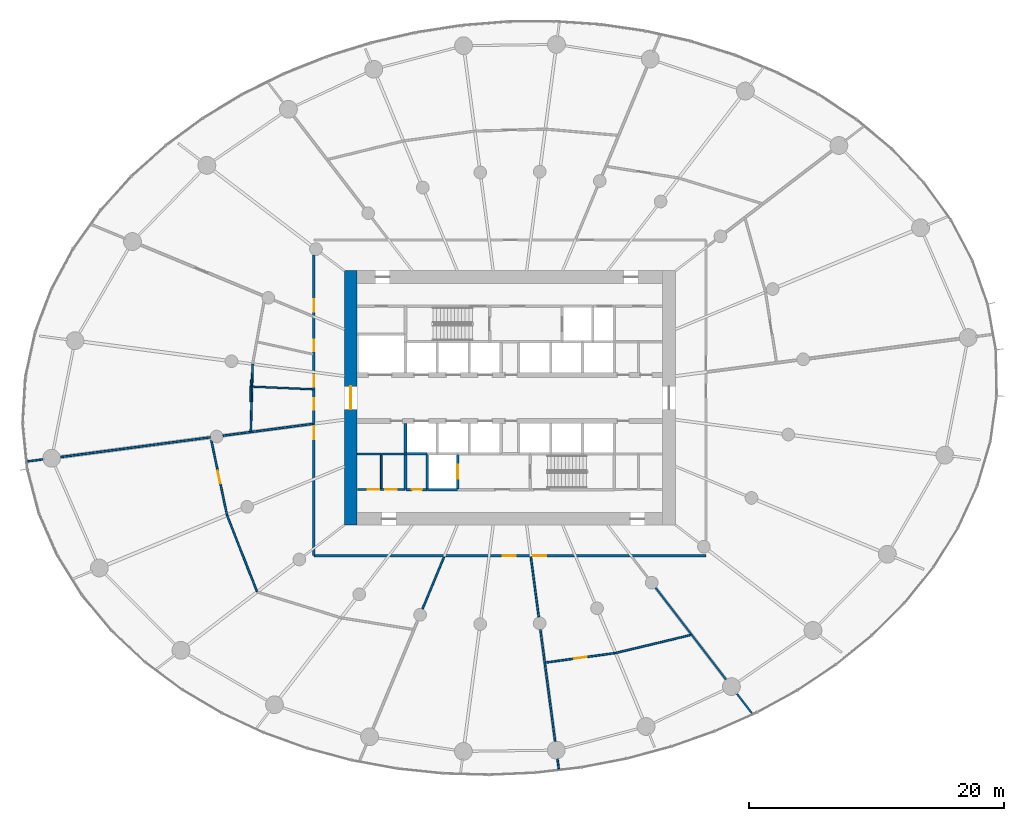
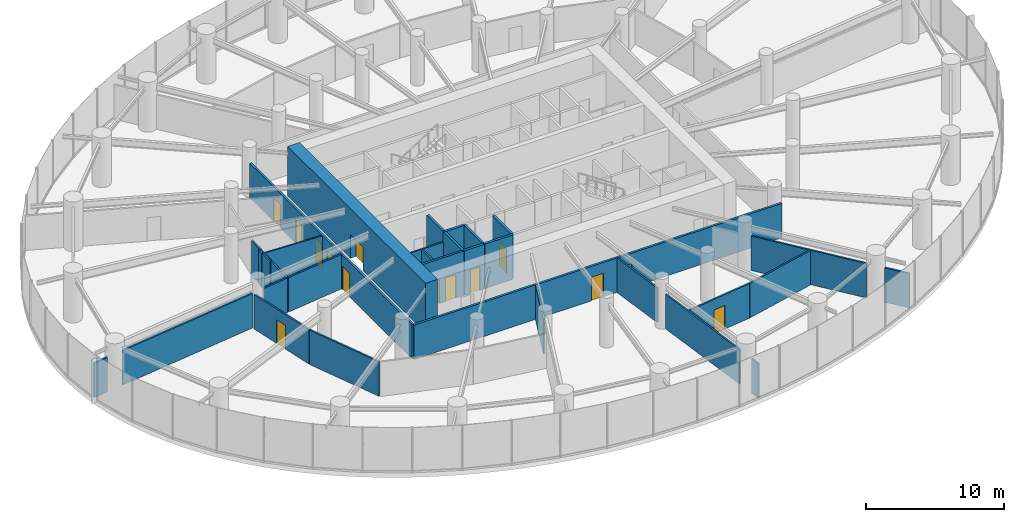
# One storey, part 11 of 17: 32 walls, 14 doors, 14 openings.
"""IFC4 building model written with IfcOpenShell, lengths in metres."""

from ifc_helpers import new_model, si_unit, direction, frame, frame_2d, origin, place, context, subcontext, project, spatial, rectangle, extrude, source, transform, mapped, material, layer, layer_set, type_object, element, fill, save


model = new_model("IFC4")

# Units and contexts
model_context = context("Model", 3, precision=1e-05, world=origin(), true_north=direction((0.0, 1.0)))
body_context = subcontext(model_context, "Body", "Model", "MODEL_VIEW")
ifc_project = project(units=[si_unit("LENGTHUNIT", "METRE"), si_unit("AREAUNIT", "SQUARE_METRE"), si_unit("VOLUMEUNIT", "CUBIC_METRE"), si_unit("PLANEANGLEUNIT", "RADIAN"), si_unit("MASSUNIT", "GRAM", prefix="KILO")], contexts=[model_context])

# Site, building, storey
site_placement = place(None, origin())
site = spatial("IfcSite", under=ifc_project, at=site_placement, CompositionType="ELEMENT")
building_placement = place(site_placement, origin())
building = spatial("IfcBuilding", under=site, at=building_placement, Name="Spindrift Exchange Tower", CompositionType="ELEMENT")
storey_placement = place(building_placement, frame((0.0, 0.0, 35.800048828125)))
storey = spatial("IfcBuildingStorey", under=building, at=storey_placement, Name="L08", CompositionType="ELEMENT", Elevation=35.800048828125)

# Wall, opening, door
ifc_material_1 = material(Name="Concrete 80 MPa", Category="concrete")
ifc_layer_1 = layer(ifc_material_1, 1.0)
ifc_layer_set_1 = layer_set([ifc_layer_1], Name="RC Core Wall 1000 Concrete 80 MPa")
wall_type_1 = type_object("IfcWallType", Name="RC Core Wall 1000 Concrete 80 MPa", PredefinedType="SHEAR", material=ifc_layer_set_1)
wall_1_placement = place(storey_placement, frame((39.5, 58.0, 0.0), z_axis=(0.0, 0.0, 1.0), x_axis=(0.0, -1.0, 0.0)))
wall_1 = element("IfcWall", 1, at=wall_1_placement, inside=storey, type_object=wall_type_1, Name="Core wall W L08", PredefinedType="SHEAR", context=body_context, shape_type="SweptSolid", body=[
    extrude(rectangle(XDim=20.0, YDim=1.0, at=frame_2d((10.0, 0.0))), origin(), (0.0, 0.0, 1.0), 4.39990234375),
])
opening_1_placement = place(wall_1_placement, frame((9.10009765625, 0.0, 0.0)))
opening_1 = element("IfcOpeningElement", 2, at=opening_1_placement, cuts=wall_1, Name="Opening L08-D1", PredefinedType="OPENING", context=body_context, shape_type="SweptSolid", body=[
    extrude(rectangle(XDim=1.800048828125, YDim=2.10009765625, at=frame_2d((0.89990234375, 1.050048828125))), frame((0.0, 0.510009765625, 0.0), z_axis=(0.0, -1.0, 0.0), x_axis=(1.0, 0.0, 0.0)), (0.0, 0.0, 1.0), 1.02001953125),
])
ifc_material_2 = material(Name="Timber-core fire door", Category="wood")
door_type_1 = type_object("IfcDoorType", Name="DR-LOBBY-1800", OperationType="NOTDEFINED", PredefinedType="DOOR", material=ifc_material_2)
shared_shape_1 = source(origin(), body_context, "Body", "SweptSolid", [
    extrude(rectangle(XDim=1.800048828125, YDim=2.10009765625, at=frame_2d((0.89990234375, 1.050048828125))), frame((0.0, 0.02490234375, 0.0), z_axis=(0.0, -1.0, 0.0), x_axis=(1.0, 0.0, 0.0)), (0.0, 0.0, 1.0), 0.050048828125),
])
door_1_placement = place(opening_1_placement, origin())
door_1 = element("IfcDoor", 3, at=door_1_placement, inside=storey, type_object=door_type_1, Name="L08 Lobby door 1", OperationType="SINGLE_SWING_RIGHT", OverallHeight=2.10009765625, OverallWidth=1.800048828125, PredefinedType="DOOR", context=body_context, shape_type="MappedRepresentation", body=[
    mapped(shared_shape_1, transform((0.0, 0.0, 0.0), scale=1.0)),
])
fill(opening_1, door_1)

# Wall, openings, doors
ifc_material_3 = material(Name="Fire-rated plasterboard partition", Category="gypsum")
ifc_layer_2 = layer(ifc_material_3, 0.179931640625)
ifc_layer_set_2 = layer_set([ifc_layer_2], Name="W-CORR-180")
wall_type_2 = type_object("IfcWallType", Name="W-CORR-180", PredefinedType="PARTITIONING", material=ifc_layer_set_2)
wall_2_placement = place(storey_placement, frame((40.02001953125, 40.800048828125, 0.0), z_axis=(0.0, 0.0, 1.0), x_axis=(1.0, 0.0, 0.0)))
wall_2 = element("IfcWall", 4, at=wall_2_placement, inside=storey, type_object=wall_type_2, Name="L08 Partition wall 61", PredefinedType="PARTITIONING", context=body_context, shape_type="SweptSolid", body=[
    extrude(rectangle(XDim=3.75, YDim=0.179931640625, at=frame_2d((1.875, 0.0))), origin(), (0.0, 0.0, 1.0), 3.949951171875),
])
opening_2_placement = place(wall_2_placement, frame((0.800048828125, 0.0, 0.0)))
opening_2 = element("IfcOpeningElement", 5, at=opening_2_placement, cuts=wall_2, Name="Opening L08-D42", PredefinedType="OPENING", context=body_context, shape_type="SweptSolid", body=[
    extrude(rectangle(XDim=0.89990234375, YDim=2.10009765625, at=frame_2d((0.449951171875, 1.050048828125))), frame((0.0, 0.099853515625, 0.0), z_axis=(0.0, -1.0, 0.0), x_axis=(1.0, 0.0, 0.0)), (0.0, 0.0, 1.0), 0.199951171875),
])
opening_3_placement = place(wall_2_placement, frame((2.199951171875, 0.0, 0.0)))
opening_3 = element("IfcOpeningElement", 6, at=opening_3_placement, cuts=wall_2, Name="Opening L08-D43", PredefinedType="OPENING", context=body_context, shape_type="SweptSolid", body=[
    extrude(rectangle(XDim=0.89990234375, YDim=2.10009765625, at=frame_2d((0.449951171875, 1.050048828125))), frame((0.0, 0.099853515625, 0.0), z_axis=(0.0, -1.0, 0.0), x_axis=(1.0, 0.0, 0.0)), (0.0, 0.0, 1.0), 0.199951171875),
])
ifc_material_4 = material(Name="Steel access door", Category="steel")
door_type_2 = type_object("IfcDoorType", Name="DR-RISER-900", OperationType="NOTDEFINED", PredefinedType="DOOR", material=ifc_material_4)
shared_shape_2 = source(origin(), body_context, "Body", "SweptSolid", [
    extrude(rectangle(XDim=0.89990234375, YDim=2.10009765625, at=frame_2d((0.449951171875, 1.050048828125))), frame((0.0, 0.02490234375, 0.0), z_axis=(0.0, -1.0, 0.0), x_axis=(1.0, 0.0, 0.0)), (0.0, 0.0, 1.0), 0.050048828125),
])
door_2_placement = place(opening_2_placement, origin())
door_2 = element("IfcDoor", 7, at=door_2_placement, inside=storey, type_object=door_type_2, Name="L08 Riser door 42", OperationType="SINGLE_SWING_LEFT", OverallHeight=2.10009765625, OverallWidth=0.89990234375, PredefinedType="DOOR", context=body_context, shape_type="MappedRepresentation", body=[
    mapped(shared_shape_2, transform((0.0, 0.0, 0.0), scale=1.0)),
])
fill(opening_2, door_2)
door_3_placement = place(opening_3_placement, origin())
door_3 = element("IfcDoor", 8, at=door_3_placement, inside=storey, type_object=door_type_2, Name="L08 Riser door 43", OperationType="SINGLE_SWING_RIGHT", OverallHeight=2.10009765625, OverallWidth=0.89990234375, PredefinedType="DOOR", context=body_context, shape_type="MappedRepresentation", body=[
    mapped(shared_shape_2, transform((0.0, 0.0, 0.0), scale=1.0)),
])
fill(opening_3, door_3)

# Walls
ifc_layer_3 = layer(ifc_material_3, 0.139892578125)
ifc_layer_set_3 = layer_set([ifc_layer_3], Name="W-PART-140")
wall_type_3 = type_object("IfcWallType", Name="W-PART-140", PredefinedType="PARTITIONING", material=ifc_layer_set_3)
wall_3_placement = place(storey_placement, frame((28.466064453125, 44.901611328125, 0.0), z_axis=(0.0, 0.0, 1.0), x_axis=(-0.991446586451, -0.130513088287, 0.0)))
element("IfcWall", 9, at=wall_3_placement, inside=storey, type_object=wall_type_3, Name="L08 Partition wall 65", PredefinedType="PARTITIONING", context=body_context, shape_type="SweptSolid", body=[
    extrude(rectangle(XDim=11.85986328125, YDim=0.139892578125, at=frame_2d((5.929931640625, 0.0))), origin(), (0.0, 0.0, 1.0), 3.050048828125),
])
wall_4_placement = place(storey_placement, frame((31.79345703125, 50.66015625, 0.0), z_axis=(0.0, 0.0, 1.0), x_axis=(-0.026785082404, -0.999641215317, 0.0)))
element("IfcWall", 10, at=wall_4_placement, inside=storey, type_object=wall_type_3, Name="L08 Partition wall 89", PredefinedType="PARTITIONING", context=body_context, shape_type="SweptSolid", body=[
    extrude(rectangle(XDim=5.34130859375, YDim=0.139892578125, at=frame_2d((2.670654296875, 0.0))), origin(), (0.0, 0.0, 1.0), 3.050048828125),
])
wall_5_placement = place(storey_placement, frame((41.89990234375, 40.889892578125, 0.0), z_axis=(0.0, 0.0, 1.0), x_axis=(0.0, 1.0, 0.0)))
element("IfcWall", 11, at=wall_5_placement, inside=storey, type_object=wall_type_3, Name="L08 Partition wall 97", PredefinedType="PARTITIONING", context=body_context, shape_type="SweptSolid", body=[
    extrude(rectangle(XDim=2.710205078125, YDim=0.139892578125, at=frame_2d((1.35498046875, 0.0))), origin(), (0.0, 0.0, 1.0), 3.050048828125),
])
wall_6_placement = place(storey_placement, frame((69.8251953125, 24.76953125, 0.0), z_axis=(0.0, 0.0, 1.0), x_axis=(0.608846424219, -0.793288113938, 0.0)))
element("IfcWall", 12, at=wall_6_placement, inside=storey, type_object=wall_type_3, Name="L08 Partition wall 105", PredefinedType="PARTITIONING", context=body_context, shape_type="SweptSolid", body=[
    extrude(rectangle(XDim=1.939208984375, YDim=0.139892578125, at=frame_2d((0.9697265625, 0.0))), origin(), (0.0, 0.0, 1.0), 3.050048828125),
])
wall_7_placement = place(storey_placement, frame((43.77001953125, 43.60009765625, 0.0), z_axis=(0.0, 0.0, 1.0), x_axis=(-1.0, 0.0, 0.0)))
element("IfcWall", 13, at=wall_7_placement, inside=storey, type_object=wall_type_3, Name="L08 Partition wall 107", PredefinedType="PARTITIONING", context=body_context, shape_type="SweptSolid", body=[
    extrude(rectangle(XDim=1.840087890625, YDim=0.139892578125, at=frame_2d((0.919921875, 0.0))), origin(), (0.0, 0.0, 1.0), 3.050048828125),
])
wall_8_placement = place(storey_placement, frame((41.8701171875, 43.60009765625, 0.0), z_axis=(0.0, 0.0, 1.0), x_axis=(-1.0, 0.0, 0.0)))
element("IfcWall", 14, at=wall_8_placement, inside=storey, type_object=wall_type_3, Name="L08 Partition wall 110", PredefinedType="PARTITIONING", context=body_context, shape_type="SweptSolid", body=[
    extrude(rectangle(XDim=1.85009765625, YDim=0.139892578125, at=frame_2d((0.925048828125, 0.0))), origin(), (0.0, 0.0, 1.0), 3.050048828125),
])
wall_9_placement = place(storey_placement, frame((15.311279296875, 43.169921875, 0.0), z_axis=(0.0, 0.0, 1.0), x_axis=(-0.991431129538, -0.130630453508, 0.0)))
element("IfcWall", 15, at=wall_9_placement, inside=storey, type_object=wall_type_3, Name="L08 Partition wall 118", PredefinedType="PARTITIONING", context=body_context, shape_type="SweptSolid", body=[
    extrude(rectangle(XDim=1.220458984375, YDim=0.139892578125, at=frame_2d((0.6103515625, 0.0))), origin(), (0.0, 0.0, 1.0), 3.050048828125),
])
ifc_layer_4 = layer(ifc_material_3, 0.139892578125)
ifc_layer_set_4 = layer_set([ifc_layer_4], Name="W-PLANT-140")
wall_type_4 = type_object("IfcWallType", Name="W-PLANT-140", PredefinedType="PARTITIONING", material=ifc_layer_set_4)
wall_10_placement = place(storey_placement, frame((63.44091796875, 33.08984375, 0.0), z_axis=(0.0, 0.0, 1.0), x_axis=(0.608770769454, -0.793346173028, 0.0)))
element("IfcWall", 16, at=wall_10_placement, inside=storey, type_object=wall_type_4, Name="L08 Partition wall 69", PredefinedType="PARTITIONING", context=body_context, shape_type="SweptSolid", body=[
    extrude(rectangle(XDim=9.0791015625, YDim=0.139892578125, at=frame_2d((4.53955078125, 0.0))), origin(), (0.0, 0.0, 1.0), 3.050048828125),
])
wall_11_placement = place(storey_placement, frame((54.396484375, 29.796630859375, 0.0), z_axis=(0.0, 0.0, 1.0), x_axis=(0.130534568438, -0.991443758588, 0.0)))
element("IfcWall", 17, at=wall_11_placement, inside=storey, type_object=wall_type_4, Name="L08 Partition wall 71", PredefinedType="PARTITIONING", context=body_context, shape_type="SweptSolid", body=[
    extrude(rectangle(XDim=8.83544921875, YDim=0.139892578125, at=frame_2d((4.417724609375, 0.0))), origin(), (0.0, 0.0, 1.0), 3.050048828125),
])
wall_12_placement = place(storey_placement, frame((29.7802734375, 38.79638671875, 0.0), z_axis=(0.0, 0.0, 1.0), x_axis=(0.364958848298, -0.931023651176, 0.0)))
element("IfcWall", 18, at=wall_12_placement, inside=storey, type_object=wall_type_4, Name="L08 Partition wall 77", PredefinedType="PARTITIONING", context=body_context, shape_type="SweptSolid", body=[
    extrude(rectangle(XDim=6.44873046875, YDim=0.139892578125, at=frame_2d((3.224365234375, 0.0))), origin(), (0.0, 0.0, 1.0), 3.050048828125),
])
wall_13_placement = place(storey_placement, frame((60.298828125, 27.964599609375, 0.0), z_axis=(0.0, 0.0, 1.0), x_axis=(0.972356247256, 0.233502309242, 0.0)))
element("IfcWall", 19, at=wall_13_placement, inside=storey, type_object=wall_type_4, Name="L08 Partition wall 79", PredefinedType="PARTITIONING", context=body_context, shape_type="SweptSolid", body=[
    extrude(rectangle(XDim=6.0673828125, YDim=0.139892578125, at=frame_2d((3.03369140625, 0.0))), origin(), (0.0, 0.0, 1.0), 3.050048828125),
])

# Wall, opening, door
wall_14_placement = place(storey_placement, frame((29.77392578125, 38.82568359375, 0.0), z_axis=(0.0, 0.0, 1.0), x_axis=(-0.20499122911, 0.978763810113, 0.0)))
wall_14 = element("IfcWall", 20, at=wall_14_placement, inside=storey, type_object=wall_type_4, Name="L08 Partition wall 81", PredefinedType="PARTITIONING", context=body_context, shape_type="SweptSolid", body=[
    extrude(rectangle(XDim=5.98828125, YDim=0.139892578125, at=frame_2d((2.994140625, 0.0))), origin(), (0.0, 0.0, 1.0), 3.050048828125),
])
opening_4_placement = place(wall_14_placement, frame((2.538330078125, 0.0, 0.0)))
opening_4 = element("IfcOpeningElement", 21, at=opening_4_placement, cuts=wall_14, Name="Opening L08-D28", PredefinedType="OPENING", context=body_context, shape_type="SweptSolid", body=[
    extrude(rectangle(XDim=1.0, YDim=2.10009765625, at=frame_2d((0.5, 1.050048828125))), frame((0.0, 0.079833984375, 0.0), z_axis=(0.0, -1.0, 0.0), x_axis=(1.0, 0.0, 0.0)), (0.0, 0.0, 1.0), 0.159912109375),
])
door_type_3 = type_object("IfcDoorType", Name="DR-ROOM-1000", OperationType="NOTDEFINED", PredefinedType="DOOR", material=ifc_material_2)
shared_shape_3 = source(origin(), body_context, "Body", "SweptSolid", [
    extrude(rectangle(XDim=1.0, YDim=2.10009765625, at=frame_2d((0.5, 1.050048828125))), frame((0.0, 0.02490234375, 0.0), z_axis=(0.0, -1.0, 0.0), x_axis=(1.0, 0.0, 0.0)), (0.0, 0.0, 1.0), 0.050048828125),
])
door_4_placement = place(opening_4_placement, origin())
door_4 = element("IfcDoor", 22, at=door_4_placement, inside=storey, type_object=door_type_3, Name="L08 Door 28", OperationType="SINGLE_SWING_LEFT", OverallHeight=2.10009765625, OverallWidth=1.0, PredefinedType="DOOR", context=body_context, shape_type="MappedRepresentation", body=[
    mapped(shared_shape_3, transform((0.0, 0.0, 0.0), scale=1.0)),
])
fill(opening_4, door_4)

wall_15_placement = place(storey_placement, frame((60.269287109375, 27.96044921875, 0.0), z_axis=(0.0, 0.0, 1.0), x_axis=(-0.99082423852, -0.135156680789, 0.0)))
wall_15 = element("IfcWall", 23, at=wall_15_placement, inside=storey, type_object=wall_type_4, Name="L08 Partition wall 87", PredefinedType="PARTITIONING", context=body_context, shape_type="SweptSolid", body=[
    extrude(rectangle(XDim=5.512939453125, YDim=0.139892578125, at=frame_2d((2.75634765625, 0.0))), origin(), (0.0, 0.0, 1.0), 3.050048828125),
])
opening_5_placement = place(wall_15_placement, frame((2.262939453125, 0.0, 0.0)))
opening_5 = element("IfcOpeningElement", 24, at=opening_5_placement, cuts=wall_15, Name="Opening L08-D32", PredefinedType="OPENING", context=body_context, shape_type="SweptSolid", body=[
    extrude(rectangle(XDim=1.0, YDim=2.10009765625, at=frame_2d((0.5, 1.050048828125))), frame((0.0, 0.079833984375, 0.0), z_axis=(0.0, -1.0, 0.0), x_axis=(1.0, 0.0, 0.0)), (0.0, 0.0, 1.0), 0.159912109375),
])
door_5_placement = place(opening_5_placement, origin())
door_5 = element("IfcDoor", 25, at=door_5_placement, inside=storey, type_object=door_type_3, Name="L08 Door 32", OperationType="SINGLE_SWING_LEFT", OverallHeight=2.10009765625, OverallWidth=1.0, PredefinedType="DOOR", context=body_context, shape_type="MappedRepresentation", body=[
    mapped(shared_shape_3, transform((0.0, 0.0, 0.0), scale=1.0)),
])
fill(opening_5, door_5)

# Walls
wall_16_placement = place(storey_placement, frame((36.510009765625, 45.960693359375, 0.0), z_axis=(0.0, 0.0, 1.0), x_axis=(-0.991443283178, -0.130538179246, 0.0)))
element("IfcWall", 26, at=wall_16_placement, inside=storey, type_object=wall_type_4, Name="L08 Partition wall 90", PredefinedType="PARTITIONING", context=body_context, shape_type="SweptSolid", body=[
    extrude(rectangle(XDim=4.830810546875, YDim=0.139892578125, at=frame_2d((2.41552734375, 0.0))), origin(), (0.0, 0.0, 1.0), 3.050048828125),
])
wall_17_placement = place(storey_placement, frame((53.644287109375, 35.510009765625, 0.0), z_axis=(0.0, 0.0, 1.0), x_axis=(0.130548834981, -0.991441880135, 0.0)))
element("IfcWall", 27, at=wall_17_placement, inside=storey, type_object=wall_type_4, Name="L08 Partition wall 92", PredefinedType="PARTITIONING", context=body_context, shape_type="SweptSolid", body=[
    extrude(rectangle(XDim=4.75390625, YDim=0.139892578125, at=frame_2d((2.376953125, 0.0))), origin(), (0.0, 0.0, 1.0), 3.050048828125),
])
wall_18_placement = place(storey_placement, frame((46.826416015625, 35.510009765625, 0.0), z_axis=(0.0, 0.0, 1.0), x_axis=(-0.382672831764, -0.923883923353, 0.0)))
element("IfcWall", 28, at=wall_18_placement, inside=storey, type_object=wall_type_4, Name="L08 Partition wall 93", PredefinedType="PARTITIONING", context=body_context, shape_type="SweptSolid", body=[
    extrude(rectangle(XDim=4.410400390625, YDim=0.139892578125, at=frame_2d((2.205078125, 0.0))), origin(), (0.0, 0.0, 1.0), 3.050048828125),
])
wall_19_placement = place(storey_placement, frame((31.62060546875, 45.31689453125, 0.0), z_axis=(0.0, 0.0, 1.0), x_axis=(-0.991455060392, -0.130448699582, 0.0)))
element("IfcWall", 29, at=wall_19_placement, inside=storey, type_object=wall_type_4, Name="L08 Partition wall 101", PredefinedType="PARTITIONING", context=body_context, shape_type="SweptSolid", body=[
    extrude(rectangle(XDim=2.1728515625, YDim=0.139892578125, at=frame_2d((1.08642578125, 0.0))), origin(), (0.0, 0.0, 1.0), 3.050048828125),
])
wall_20_placement = place(storey_placement, frame((55.733642578125, 19.640380859375, 0.0), z_axis=(0.0, 0.0, 1.0), x_axis=(0.130566295976, -0.991439580789, 0.0)))
element("IfcWall", 30, at=wall_20_placement, inside=storey, type_object=wall_type_4, Name="L08 Partition wall 120", PredefinedType="PARTITIONING", context=body_context, shape_type="SweptSolid", body=[
    extrude(rectangle(XDim=0.791015625, YDim=0.139892578125, at=frame_2d((0.3955078125, 0.0))), origin(), (0.0, 0.0, 1.0), 3.050048828125),
])

# Wall, openings, doors
ifc_layer_5 = layer(ifc_material_3, 0.179931640625)
ifc_layer_set_5 = layer_set([ifc_layer_5], Name="W-PLANT-180")
wall_type_5 = type_object("IfcWallType", Name="W-PLANT-180", PredefinedType="PARTITIONING", material=ifc_layer_set_5)
wall_21_placement = place(storey_placement, frame((67.39990234375, 35.60009765625, 0.0), z_axis=(0.0, 0.0, 1.0), x_axis=(-1.0, 0.0, 0.0)))
wall_21 = element("IfcWall", 31, at=wall_21_placement, inside=storey, type_object=wall_type_5, Name="L08 Partition wall 57", PredefinedType="PARTITIONING", context=body_context, shape_type="SweptSolid", body=[
    extrude(rectangle(XDim=30.7998046875, YDim=0.179931640625, at=frame_2d((15.39990234375, 0.0))), origin(), (0.0, 0.0, 1.0), 3.050048828125),
])
opening_6_placement = place(wall_21_placement, frame((14.949951171875, 0.0, 0.0)))
opening_6 = element("IfcOpeningElement", 32, at=opening_6_placement, cuts=wall_21, Name="Opening L08-D30", PredefinedType="OPENING", context=body_context, shape_type="SweptSolid", body=[
    extrude(rectangle(XDim=1.0, YDim=2.10009765625, at=frame_2d((0.5, 1.050048828125))), frame((0.0, 0.099853515625, 0.0), z_axis=(0.0, -1.0, 0.0), x_axis=(1.0, 0.0, 0.0)), (0.0, 0.0, 1.0), 0.199951171875),
])
opening_7_placement = place(wall_21_placement, frame((12.550048828125, 0.0, 0.0)))
opening_7 = element("IfcOpeningElement", 33, at=opening_7_placement, cuts=wall_21, Name="Opening L08-D31", PredefinedType="OPENING", context=body_context, shape_type="SweptSolid", body=[
    extrude(rectangle(XDim=1.0, YDim=2.10009765625, at=frame_2d((0.5, 1.050048828125))), frame((0.0, 0.099853515625, 0.0), z_axis=(0.0, -1.0, 0.0), x_axis=(1.0, 0.0, 0.0)), (0.0, 0.0, 1.0), 0.199951171875),
])
door_6_placement = place(opening_6_placement, origin())
door_6 = element("IfcDoor", 34, at=door_6_placement, inside=storey, type_object=door_type_3, Name="L08 Door 30", OperationType="SINGLE_SWING_LEFT", OverallHeight=2.10009765625, OverallWidth=1.0, PredefinedType="DOOR", context=body_context, shape_type="MappedRepresentation", body=[
    mapped(shared_shape_3, transform((0.0, 0.0, 0.0), scale=1.0)),
])
fill(opening_6, door_6)
door_7_placement = place(opening_7_placement, origin())
door_7 = element("IfcDoor", 35, at=door_7_placement, inside=storey, type_object=door_type_3, Name="L08 Door 31", OperationType="SINGLE_SWING_RIGHT", OverallHeight=2.10009765625, OverallWidth=1.0, PredefinedType="DOOR", context=body_context, shape_type="MappedRepresentation", body=[
    mapped(shared_shape_3, transform((0.0, 0.0, 0.0), scale=1.0)),
])
fill(opening_7, door_7)

wall_22_placement = place(storey_placement, frame((36.60009765625, 35.6298828125, 0.0), z_axis=(0.0, 0.0, 1.0), x_axis=(0.0, 1.0, 0.0)))
wall_22 = element("IfcWall", 36, at=wall_22_placement, inside=storey, type_object=wall_type_5, Name="L08 Partition wall 60", PredefinedType="PARTITIONING", context=body_context, shape_type="SweptSolid", body=[
    extrude(rectangle(XDim=23.58251953125, YDim=0.179931640625, at=frame_2d((11.791259765625, 0.0))), origin(), (0.0, 0.0, 1.0), 3.050048828125),
])
opening_8_placement = place(wall_22_placement, frame((16.032470703125, 0.0, 0.0)))
opening_8 = element("IfcOpeningElement", 37, at=opening_8_placement, cuts=wall_22, Name="Opening L08-D24", PredefinedType="OPENING", context=body_context, shape_type="SweptSolid", body=[
    extrude(rectangle(XDim=0.89990234375, YDim=2.10009765625, at=frame_2d((0.449951171875, 1.050048828125))), frame((0.0, 0.099853515625, 0.0), z_axis=(0.0, -1.0, 0.0), x_axis=(1.0, 0.0, 0.0)), (0.0, 0.0, 1.0), 0.199951171875),
])
opening_9_placement = place(wall_22_placement, frame((13.232421875, 0.0, 0.0)))
opening_9 = element("IfcOpeningElement", 38, at=opening_9_placement, cuts=wall_22, Name="Opening L08-D25", PredefinedType="OPENING", context=body_context, shape_type="SweptSolid", body=[
    extrude(rectangle(XDim=0.89990234375, YDim=2.10009765625, at=frame_2d((0.449951171875, 1.050048828125))), frame((0.0, 0.099853515625, 0.0), z_axis=(0.0, -1.0, 0.0), x_axis=(1.0, 0.0, 0.0)), (0.0, 0.0, 1.0), 0.199951171875),
])
opening_10_placement = place(wall_22_placement, frame((11.4326171875, 0.0, 0.0)))
opening_10 = element("IfcOpeningElement", 39, at=opening_10_placement, cuts=wall_22, Name="Opening L08-D26", PredefinedType="OPENING", context=body_context, shape_type="SweptSolid", body=[
    extrude(rectangle(XDim=0.89990234375, YDim=2.10009765625, at=frame_2d((0.449951171875, 1.050048828125))), frame((0.0, 0.099853515625, 0.0), z_axis=(0.0, -1.0, 0.0), x_axis=(1.0, 0.0, 0.0)), (0.0, 0.0, 1.0), 0.199951171875),
])
opening_11_placement = place(wall_22_placement, frame((9.132568359375, 0.0, 0.0)))
opening_11 = element("IfcOpeningElement", 40, at=opening_11_placement, cuts=wall_22, Name="Opening L08-D27", PredefinedType="OPENING", context=body_context, shape_type="SweptSolid", body=[
    extrude(rectangle(XDim=1.0, YDim=2.10009765625, at=frame_2d((0.5, 1.050048828125))), frame((0.0, 0.099853515625, 0.0), z_axis=(0.0, -1.0, 0.0), x_axis=(1.0, 0.0, 0.0)), (0.0, 0.0, 1.0), 0.199951171875),
])
opening_12_placement = place(wall_22_placement, frame((19.132568359375, 0.0, 0.0)))
opening_12 = element("IfcOpeningElement", 41, at=opening_12_placement, cuts=wall_22, Name="Opening L08-D40", PredefinedType="OPENING", context=body_context, shape_type="SweptSolid", body=[
    extrude(rectangle(XDim=1.0, YDim=2.10009765625, at=frame_2d((0.5, 1.050048828125))), frame((0.0, 0.099853515625, 0.0), z_axis=(0.0, -1.0, 0.0), x_axis=(1.0, 0.0, 0.0)), (0.0, 0.0, 1.0), 0.199951171875),
])
door_8_placement = place(opening_11_placement, origin())
door_8 = element("IfcDoor", 42, at=door_8_placement, inside=storey, type_object=door_type_3, Name="L08 Door 27", OperationType="SINGLE_SWING_RIGHT", OverallHeight=2.10009765625, OverallWidth=1.0, PredefinedType="DOOR", context=body_context, shape_type="MappedRepresentation", body=[
    mapped(shared_shape_3, transform((0.0, 0.0, 0.0), scale=1.0)),
])
fill(opening_11, door_8)
door_9_placement = place(opening_12_placement, origin())
door_9 = element("IfcDoor", 43, at=door_9_placement, inside=storey, type_object=door_type_3, Name="L08 Door 40", OperationType="SINGLE_SWING_LEFT", OverallHeight=2.10009765625, OverallWidth=1.0, PredefinedType="DOOR", context=body_context, shape_type="MappedRepresentation", body=[
    mapped(shared_shape_3, transform((0.0, 0.0, 0.0), scale=1.0)),
])
fill(opening_12, door_9)
ifc_material_5 = material(Name="Laminate washroom door", Category="wood")
door_type_4 = type_object("IfcDoorType", Name="DR-WC-900", OperationType="NOTDEFINED", PredefinedType="DOOR", material=ifc_material_5)
shared_shape_4 = source(origin(), body_context, "Body", "SweptSolid", [
    extrude(rectangle(XDim=0.89990234375, YDim=2.10009765625, at=frame_2d((0.449951171875, 1.050048828125))), frame((0.0, 0.02490234375, 0.0), z_axis=(0.0, -1.0, 0.0), x_axis=(1.0, 0.0, 0.0)), (0.0, 0.0, 1.0), 0.050048828125),
])
door_10_placement = place(opening_8_placement, origin())
door_10 = element("IfcDoor", 44, at=door_10_placement, inside=storey, type_object=door_type_4, Name="L08 WC door 24", OperationType="SINGLE_SWING_LEFT", OverallHeight=2.10009765625, OverallWidth=0.89990234375, PredefinedType="DOOR", context=body_context, shape_type="MappedRepresentation", body=[
    mapped(shared_shape_4, transform((0.0, 0.0, 0.0), scale=1.0)),
])
fill(opening_8, door_10)
door_11_placement = place(opening_9_placement, origin())
door_11 = element("IfcDoor", 45, at=door_11_placement, inside=storey, type_object=door_type_4, Name="L08 WC door 25", OperationType="SINGLE_SWING_RIGHT", OverallHeight=2.10009765625, OverallWidth=0.89990234375, PredefinedType="DOOR", context=body_context, shape_type="MappedRepresentation", body=[
    mapped(shared_shape_4, transform((0.0, 0.0, 0.0), scale=1.0)),
])
fill(opening_9, door_11)
door_12_placement = place(opening_10_placement, origin())
door_12 = element("IfcDoor", 46, at=door_12_placement, inside=storey, type_object=door_type_4, Name="L08 WC door 26", OperationType="SINGLE_SWING_LEFT", OverallHeight=2.10009765625, OverallWidth=0.89990234375, PredefinedType="DOOR", context=body_context, shape_type="MappedRepresentation", body=[
    mapped(shared_shape_4, transform((0.0, 0.0, 0.0), scale=1.0)),
])
fill(opening_10, door_12)

# Walls
ifc_material_6 = material(Name="Concrete 40 MPa", Category="concrete")
ifc_layer_6 = layer(ifc_material_6, 0.199951171875)
ifc_layer_set_6 = layer_set([ifc_layer_6], Name="W-SHAFT-200")
wall_type_6 = type_object("IfcWallType", Name="W-SHAFT-200", PredefinedType="SOLIDWALL", material=ifc_layer_set_6)
for number, where, z_axis, x_axis, name in (
    (47, (43.800048828125, 43.60009765625, 0.0), (0.0, 0.0, 1.0), (0.0, -1.0, 0.0), "L08 Shaft wall 6"),
    (48, (45.5, 43.60009765625, 0.0), (0.0, 0.0, 1.0), (0.0, -1.0, 0.0), "L08 Shaft wall 7"),
):
    element("IfcWall", number, at=place(storey_placement, frame(where, z_axis=z_axis, x_axis=x_axis)), inside=storey, type_object=wall_type_6, Name=name, PredefinedType="SOLIDWALL", context=body_context, shape_type="SweptSolid", body=[
        extrude(rectangle(XDim=2.800048828125, YDim=0.199951171875, at=frame_2d((1.39990234375, 0.0))), origin(), (0.0, 0.0, 1.0), 3.949951171875),
    ])

# Wall, opening, door
wall_23_placement = place(storey_placement, frame((47.89990234375, 40.830078125, 0.0), z_axis=(0.0, 0.0, 1.0), x_axis=(0.0, 1.0, 0.0)))
wall_23 = element("IfcWall", 49, at=wall_23_placement, inside=storey, type_object=wall_type_6, Name="L08 Shaft wall 8", PredefinedType="SOLIDWALL", context=body_context, shape_type="SweptSolid", body=[
    extrude(rectangle(XDim=2.77001953125, YDim=0.199951171875, at=frame_2d((1.385009765625, 0.0))), origin(), (0.0, 0.0, 1.0), 3.949951171875),
])
opening_13_placement = place(wall_23_placement, frame((0.820068359375, 0.0, 0.0)))
opening_13 = element("IfcOpeningElement", 50, at=opening_13_placement, cuts=wall_23, Name="Opening L08-D10", PredefinedType="OPENING", context=body_context, shape_type="SweptSolid", body=[
    extrude(rectangle(XDim=1.10009765625, YDim=2.10009765625, at=frame_2d((0.550048828125, 1.050048828125))), frame((0.0, 0.10986328125, 0.0), z_axis=(0.0, -1.0, 0.0), x_axis=(1.0, 0.0, 0.0)), (0.0, 0.0, 1.0), 0.219970703125),
])
ifc_material_7 = material(Name="Stainless steel landing door", Category="steel")
door_type_5 = type_object("IfcDoorType", Name="DR-LANDING-1100-SL", OperationType="DOUBLE_DOOR_SLIDING", PredefinedType="USERDEFINED", material=ifc_material_7)
shared_shape_5 = source(origin(), body_context, "Body", "SweptSolid", [
    extrude(rectangle(XDim=1.10009765625, YDim=2.10009765625, at=frame_2d((0.550048828125, 1.050048828125))), frame((0.0, 0.02490234375, 0.0), z_axis=(0.0, -1.0, 0.0), x_axis=(1.0, 0.0, 0.0)), (0.0, 0.0, 1.0), 0.050048828125),
])
door_13_placement = place(opening_13_placement, origin())
door_13 = element("IfcDoor", 51, at=door_13_placement, inside=storey, type_object=door_type_5, Name="L08 Lift landing door 10", ObjectType="LANDING DOOR", OperationType="DOUBLE_DOOR_SLIDING", OverallHeight=2.10009765625, OverallWidth=1.10009765625, PredefinedType="USERDEFINED", context=body_context, shape_type="MappedRepresentation", body=[
    mapped(shared_shape_5, transform((0.0, 0.0, 0.0), scale=1.0)),
])
fill(opening_13, door_13)

# Walls
wall_24_placement = place(storey_placement, frame((45.530029296875, 40.800048828125, 0.0), z_axis=(0.0, 0.0, 1.0), x_axis=(1.0, 0.0, 0.0)))
element("IfcWall", 52, at=wall_24_placement, inside=storey, type_object=wall_type_6, Name="L08 Shaft wall 21", PredefinedType="SOLIDWALL", context=body_context, shape_type="SweptSolid", body=[
    extrude(rectangle(XDim=2.340087890625, YDim=0.199951171875, at=frame_2d((1.169921875, 0.0))), origin(), (0.0, 0.0, 1.0), 3.949951171875),
])
wall_25_placement = place(storey_placement, frame((43.800048828125, 45.989990234375, 0.0), z_axis=(0.0, 0.0, 1.0), x_axis=(0.0, -1.0, 0.0)))
element("IfcWall", 53, at=wall_25_placement, inside=storey, type_object=wall_type_6, Name="L08 Shaft wall 23", PredefinedType="SOLIDWALL", context=body_context, shape_type="SweptSolid", body=[
    extrude(rectangle(XDim=2.360107421875, YDim=0.199951171875, at=frame_2d((1.18017578125, 0.0))), origin(), (0.0, 0.0, 1.0), 3.949951171875),
])
wall_26_placement = place(storey_placement, frame((43.830078125, 43.60009765625, 0.0), z_axis=(0.0, 0.0, 1.0), x_axis=(1.0, 0.0, 0.0)))
element("IfcWall", 54, at=wall_26_placement, inside=storey, type_object=wall_type_6, Name="L08 Shaft wall 40", PredefinedType="SOLIDWALL", context=body_context, shape_type="SweptSolid", body=[
    extrude(rectangle(XDim=1.639892578125, YDim=0.199951171875, at=frame_2d((0.81982421875, 0.0))), origin(), (0.0, 0.0, 1.0), 3.949951171875),
])

# Wall, opening, door
wall_27_placement = place(storey_placement, frame((43.830078125, 40.800048828125, 0.0), z_axis=(0.0, 0.0, 1.0), x_axis=(1.0, 0.0, 0.0)))
wall_27 = element("IfcWall", 55, at=wall_27_placement, inside=storey, type_object=wall_type_6, Name="L08 Shaft wall 41", PredefinedType="SOLIDWALL", context=body_context, shape_type="SweptSolid", body=[
    extrude(rectangle(XDim=1.639892578125, YDim=0.199951171875, at=frame_2d((0.81982421875, 0.0))), origin(), (0.0, 0.0, 1.0), 3.949951171875),
])
opening_14_placement = place(wall_27_placement, frame((0.469970703125, 0.0, 0.0)))
opening_14 = element("IfcOpeningElement", 56, at=opening_14_placement, cuts=wall_27, Name="Opening L08-D19", PredefinedType="OPENING", context=body_context, shape_type="SweptSolid", body=[
    extrude(rectangle(XDim=0.800048828125, YDim=2.10009765625, at=frame_2d((0.39990234375, 1.050048828125))), frame((0.0, 0.10986328125, 0.0), z_axis=(0.0, -1.0, 0.0), x_axis=(1.0, 0.0, 0.0)), (0.0, 0.0, 1.0), 0.219970703125),
])
door_type_6 = type_object("IfcDoorType", Name="DR-RISER-800", OperationType="NOTDEFINED", PredefinedType="DOOR", material=ifc_material_4)
shared_shape_6 = source(origin(), body_context, "Body", "SweptSolid", [
    extrude(rectangle(XDim=0.800048828125, YDim=2.10009765625, at=frame_2d((0.39990234375, 1.050048828125))), frame((0.0, 0.02490234375, 0.0), z_axis=(0.0, -1.0, 0.0), x_axis=(1.0, 0.0, 0.0)), (0.0, 0.0, 1.0), 0.050048828125),
])
door_14_placement = place(opening_14_placement, origin())
door_14 = element("IfcDoor", 57, at=door_14_placement, inside=storey, type_object=door_type_6, Name="L08 Riser door 19", OperationType="SINGLE_SWING_RIGHT", OverallHeight=2.10009765625, OverallWidth=0.800048828125, PredefinedType="DOOR", context=body_context, shape_type="MappedRepresentation", body=[
    mapped(shared_shape_6, transform((0.0, 0.0, 0.0), scale=1.0)),
])
fill(opening_14, door_14)

# Walls
ifc_layer_7 = layer(ifc_material_3, 0.1201171875)
ifc_layer_set_7 = layer_set([ifc_layer_7], Name="W-WET-120")
wall_type_7 = type_object("IfcWallType", Name="W-WET-120", PredefinedType="PARTITIONING", material=ifc_layer_set_7)
wall_28_placement = place(storey_placement, frame((36.510009765625, 48.67626953125, 0.0), z_axis=(0.0, 0.0, 1.0), x_axis=(-0.999047117706, 0.043644662933, 0.0)))
element("IfcWall", 58, at=wall_28_placement, inside=storey, type_object=wall_type_7, Name="L08 Partition wall 121", PredefinedType="PARTITIONING", context=body_context, shape_type="SweptSolid", body=[
    extrude(rectangle(XDim=4.69873046875, YDim=0.1201171875, at=frame_2d((2.349365234375, 0.0))), origin(), (0.0, 0.0, 1.0), 3.050048828125),
])
wall_29_placement = place(storey_placement, frame((31.6416015625, 48.888916015625, 0.0), z_axis=(0.0, 0.0, 1.0), x_axis=(0.002289275999, -0.999997379604, 0.0)))
element("IfcWall", 59, at=wall_29_placement, inside=storey, type_object=wall_type_7, Name="L08 Partition wall 123", PredefinedType="PARTITIONING", context=body_context, shape_type="SweptSolid", body=[
    extrude(rectangle(XDim=1.173095703125, YDim=0.1201171875, at=frame_2d((0.58642578125, 0.0))), origin(), (0.0, 0.0, 1.0), 3.050048828125),
])
wall_30_placement = place(storey_placement, frame((31.69140625, 49.47119140625, 0.0), z_axis=(0.0, 0.0, 1.0), x_axis=(-0.084976539901, -0.996382952316, 0.0)))
element("IfcWall", 60, at=wall_30_placement, inside=storey, type_object=wall_type_7, Name="L08 Partition wall 124", PredefinedType="PARTITIONING", context=body_context, shape_type="SweptSolid", body=[
    extrude(rectangle(XDim=0.554443359375, YDim=0.1201171875, at=frame_2d((0.27734375, 0.0))), origin(), (0.0, 0.0, 1.0), 3.050048828125),
])

save(model, "model.ifc")
